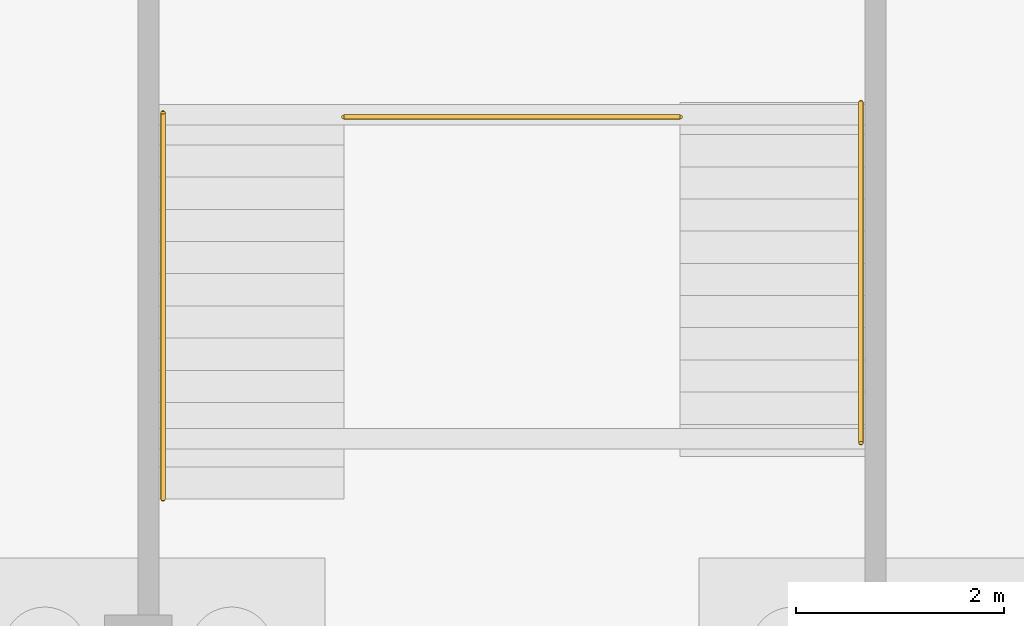
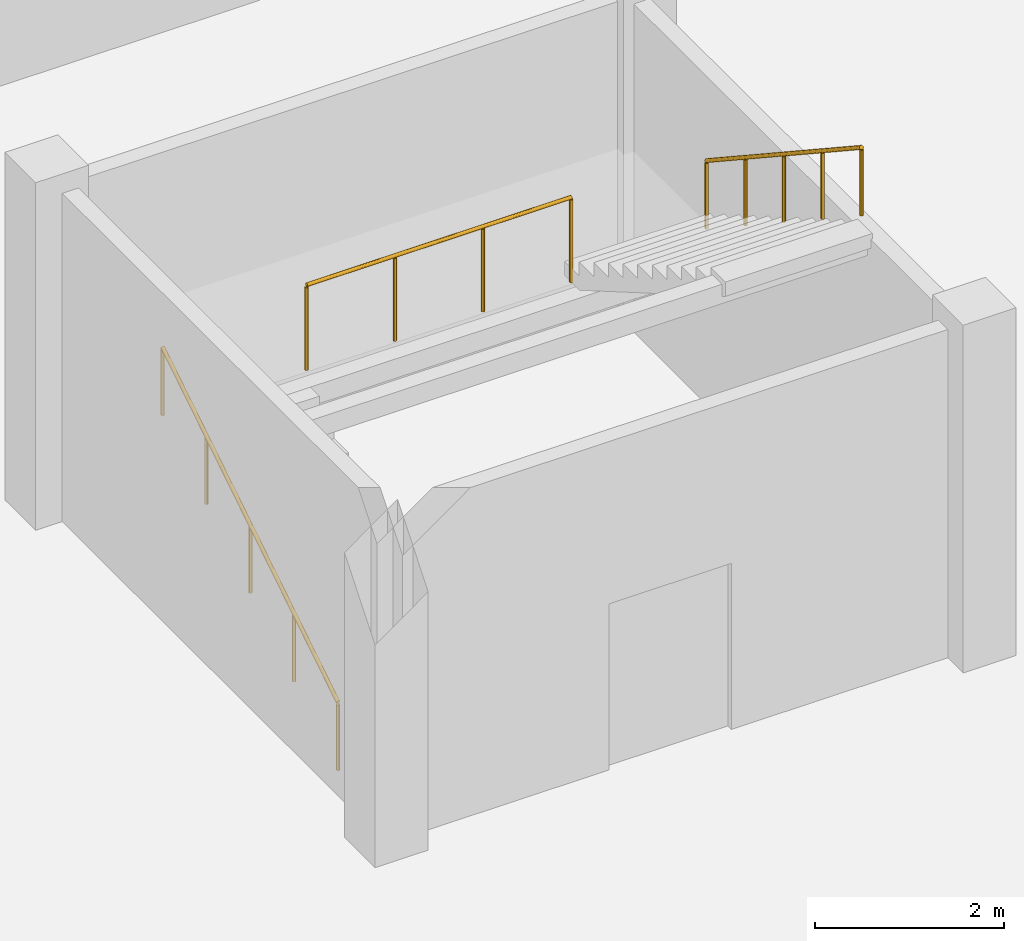
# One storey, part 17 of 18: 3 railings.
"""IFC4 building model written with IfcOpenShell, lengths in metres."""

from ifc_helpers import new_model, si_unit, direction, frame, origin, origin_2d, place, context, subcontext, project, spatial, circle, extrude, material, type_object, element, save


model = new_model("IFC4")

# Units and contexts
model_context = context("Model", 3, precision=1e-05, world=origin(), true_north=direction((0.0, 1.0)))
body_context = subcontext(model_context, "Body", "Model", "MODEL_VIEW")
ifc_project = project(units=[si_unit("LENGTHUNIT", "METRE"), si_unit("AREAUNIT", "SQUARE_METRE"), si_unit("VOLUMEUNIT", "CUBIC_METRE"), si_unit("PLANEANGLEUNIT", "RADIAN"), si_unit("MASSUNIT", "GRAM", prefix="KILO")], contexts=[model_context])

# Site, building, storey
site_placement = place(None, origin())
site = spatial("IfcSite", under=ifc_project, at=site_placement, CompositionType="ELEMENT")
building_placement = place(site_placement, origin())
building = spatial("IfcBuilding", under=site, at=building_placement, Name="Kangsadwip Square Police Headquarters", CompositionType="ELEMENT")
storey_placement = place(building_placement, frame((0.0, 0.0, -4.5)))
storey = spatial("IfcBuildingStorey", under=building, at=storey_placement, Name="B1", CompositionType="ELEMENT", Elevation=-4.5)

# Railings
ifc_material_1 = material(Name="Structural steel IS 2062 E250 (Grade 250, 250 MPa)", Category="steel")
railing_type_1 = type_object("IfcRailingType", Name="BalustradeGuard1100", PredefinedType="BALUSTRADE", material=ifc_material_1)
railing_1_placement = place(storey_placement, frame((153.179931640625, 98.719970703125, 2.340087890625)))
element("IfcRailing", 1, at=railing_1_placement, inside=storey, type_object=railing_type_1, Name="Stair Guard ST-04 B1-103", PredefinedType="BALUSTRADE", context=body_context, shape_type="SweptSolid", body=[
    extrude(circle(Radius=0.02392578125, at=origin_2d()), frame((0.0, 0.0, 1.09619140625), z_axis=(1.0, 0.0, 0.0), x_axis=(0.0, 1.0, 0.0)), (0.0, 0.0, 1.0), 3.239990234375),
    extrude(circle(Radius=0.02099609375, at=origin_2d()), origin(), (0.0, 0.0, 1.0), 1.072021484375),
    extrude(circle(Radius=0.02099609375, at=origin_2d()), frame((1.080078125, 0.0, 0.0)), (0.0, 0.0, 1.0), 1.072021484375),
    extrude(circle(Radius=0.02099609375, at=origin_2d()), frame((2.159912109375, 0.0, 0.0)), (0.0, 0.0, 1.0), 1.072021484375),
    extrude(circle(Radius=0.02099609375, at=origin_2d()), frame((3.239990234375, 0.0, 0.0)), (0.0, 0.0, 1.0), 1.072021484375),
])
ifc_material_2 = material(Name="Structural steel IS 2062 E250 (Grade 250, 250 MPa)", Category="steel")
railing_type_2 = type_object("IfcRailingType", Name="StairPitchHandrail900", PredefinedType="HANDRAIL", material=ifc_material_2)
railing_2_placement = place(storey_placement, frame((151.43994140625, 95.0400390625, 0.0)))
element("IfcRailing", 2, at=railing_2_placement, inside=storey, type_object=railing_type_2, Name="Stair Handrail ST-04 B1-104", PredefinedType="HANDRAIL", context=body_context, shape_type="SweptSolid", body=[
    extrude(circle(Radius=0.02392578125, at=origin_2d()), frame((0.0, 0.0, 0.8759765625), z_axis=(0.0, 0.846449849332, 0.532468452179), x_axis=(-1.0, 0.0, 0.0)), (0.0, 0.0, 1.0), 4.394775390625),
    extrude(circle(Radius=0.02099609375, at=origin_2d()), origin(), (0.0, 0.0, 1.0), 0.851806640625),
    extrude(circle(Radius=0.02099609375, at=origin_2d()), frame((0.0, 0.929931640625, 0.5849609375)), (0.0, 0.0, 1.0), 0.851806640625),
    extrude(circle(Radius=0.02099609375, at=origin_2d()), frame((0.0, 1.85986328125, 1.169921875)), (0.0, 0.0, 1.0), 0.851806640625),
    extrude(circle(Radius=0.02099609375, at=origin_2d()), frame((0.0, 2.7900390625, 1.755126953125)), (0.0, 0.0, 1.0), 0.851806640625),
    extrude(circle(Radius=0.02099609375, at=origin_2d()), frame((0.0, 3.719970703125, 2.340087890625)), (0.0, 0.0, 1.0), 0.851806640625),
])
railing_3_placement = place(storey_placement, frame((158.159912109375, 98.860107421875, 2.340087890625)))
element("IfcRailing", 3, at=railing_3_placement, inside=storey, type_object=railing_type_2, Name="Stair Handrail ST-04 B1-105", PredefinedType="HANDRAIL", context=body_context, shape_type="SweptSolid", body=[
    extrude(circle(Radius=0.02392578125, at=origin_2d()), frame((0.0, 0.0, 0.8759765625), z_axis=(0.0, -0.835183400731, 0.54997153303), x_axis=(1.0, 0.0, 0.0)), (0.0, 0.0, 1.0), 3.92724609375),
    extrude(circle(Radius=0.02099609375, at=origin_2d()), origin(), (0.0, 0.0, 1.0), 0.851806640625),
    extrude(circle(Radius=0.02099609375, at=origin_2d()), frame((0.0, -0.820068359375, 0.5400390625)), (0.0, 0.0, 1.0), 0.851806640625),
    extrude(circle(Radius=0.02099609375, at=origin_2d()), frame((0.0, -1.64013671875, 1.080078125)), (0.0, 0.0, 1.0), 0.851806640625),
    extrude(circle(Radius=0.02099609375, at=origin_2d()), frame((0.0, -2.4599609375, 1.619873046875)), (0.0, 0.0, 1.0), 0.851806640625),
    extrude(circle(Radius=0.02099609375, at=origin_2d()), frame((0.0, -3.280029296875, 2.159912109375)), (0.0, 0.0, 1.0), 0.851806640625),
])

save(model, "model.ifc")
